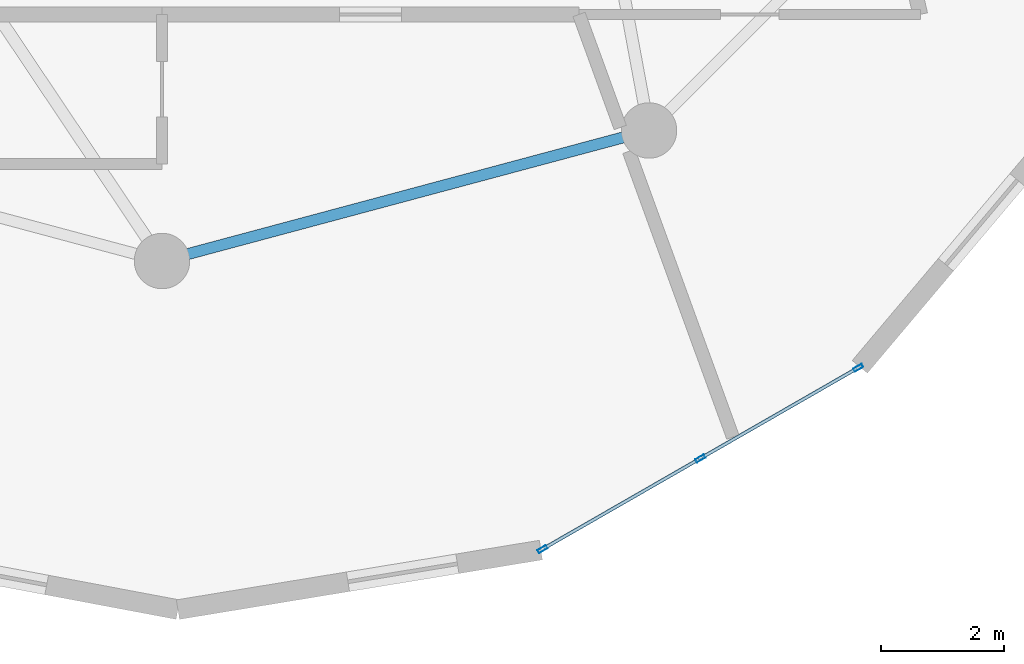
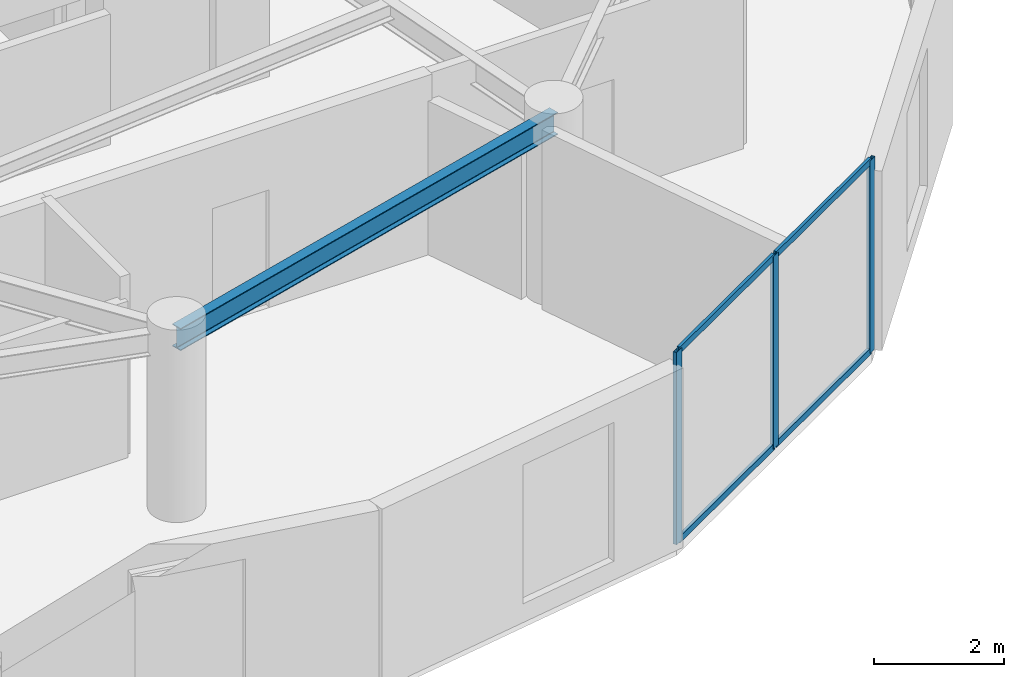
# One storey, part 5 of 21: 7 members, 1 beam, 1 element without a shape of its own.
"""IFC4 building model written with IfcOpenShell, lengths in metres."""

from ifc_helpers import new_model, si_unit, direction, frame, origin, origin_2d, place, context, subcontext, project, spatial, hollow_rectangle, i_section, extrude, source, transform, mapped, material, layer, layer_set, material_profile, profile_set, type_object, element, aggregate, save


model = new_model("IFC4")

# Units and contexts
model_context = context("Model", 3, precision=1e-05, world=origin(), true_north=direction((0.0, 1.0)))
body_context = subcontext(model_context, "Body", "Model", "MODEL_VIEW")
ifc_project = project(units=[si_unit("LENGTHUNIT", "METRE"), si_unit("AREAUNIT", "SQUARE_METRE"), si_unit("VOLUMEUNIT", "CUBIC_METRE"), si_unit("PLANEANGLEUNIT", "RADIAN"), si_unit("MASSUNIT", "GRAM", prefix="KILO")], contexts=[model_context])

# Site, building, storey
site_placement = place(None, origin())
site = spatial("IfcSite", under=ifc_project, at=site_placement, CompositionType="ELEMENT")
building_placement = place(site_placement, origin())
building = spatial("IfcBuilding", under=site, at=building_placement, Name="Solvirekh Grand Hotel", CompositionType="ELEMENT")
storey_placement = place(building_placement, frame((0.0, 0.0, 220.0)))
storey = spatial("IfcBuildingStorey", under=building, at=storey_placement, Name="L57", CompositionType="ELEMENT", Elevation=220.0)

# Beam
ifc_material_1 = material(Name="Steel S355", Category="steel")
ifc_material_profile_1 = material_profile(ifc_material_1, i_section(OverallWidth=0.180908203125, OverallDepth=0.4169921875, WebThickness=0.010009765625, FlangeThickness=0.01611328125, FilletRadius=0.011962890625, at=origin_2d()), Name="W410X85")
ifc_profile_set_1 = profile_set([ifc_material_profile_1], Name="Steel S355")
beam_type = type_object("IfcBeamType", Name="Spandrel_Ring_W410", PredefinedType="SPANDREL", material=ifc_profile_set_1)
beam_placement = place(storey_placement, frame((0.0, -15.800048828125, 3.152099609375), z_axis=(0.965920601923, 0.258838541915, 0.0), x_axis=(-0.258838541915, 0.965920601923, 0.0)))
element("IfcBeam", 1, at=beam_placement, inside=storey, type_object=beam_type, Name="L57 perimeter spandrel beam 10", PredefinedType="SPANDREL", context=body_context, shape_type="SweptSolid", body=[
    extrude(i_section(OverallWidth=0.180908203125, OverallDepth=0.4169921875, WebThickness=0.010009765625, FlangeThickness=0.01611328125, FilletRadius=0.011962890625, at=origin_2d()), origin(), (0.0, 0.0, 1.0), 8.1787109375),
])

# Curtain wall, members
ifc_material_2 = material(Name="Anodized Bronze Aluminium 6063-T6", Category="aluminium")
ifc_layer = layer(ifc_material_2, 0.159912109375)
ifc_layer_set = layer_set([ifc_layer], Name="Anodized Bronze Aluminium 6063-T6")
curtain_wall_type = type_object("IfcCurtainWallType", Name="CW_Sys4_HighZoneFlushBronzeCW", PredefinedType="NOTDEFINED", material=ifc_layer_set)
curtain_wall_placement = place(storey_placement, origin())
curtain_wall = element("IfcCurtainWall", 2, at=curtain_wall_placement, inside=storey, type_object=curtain_wall_type, Name="L57 unitised bronze-glass curtain wall CW-L57-C01", PredefinedType="NOTDEFINED")
ifc_material_profile_2 = material_profile(ifc_material_2, hollow_rectangle(XDim=0.06005859375, YDim=0.159912109375, WallThickness=0.0048828125, at=origin_2d()), Name="ALU RHS 160X60X5")
ifc_profile_set_2 = profile_set([ifc_material_profile_2], Name="Anodized Bronze Aluminium 6063-T6")
member_type_1 = type_object("IfcMemberType", Name="CWMullion_Sys4", PredefinedType="MULLION", material=ifc_profile_set_2)
shared_shape_1 = source(origin(), body_context, "Body", "SweptSolid", [
    extrude(hollow_rectangle(XDim=0.06005859375, YDim=0.159912109375, WallThickness=0.0048828125, at=origin_2d()), origin(), (0.0, 0.0, 1.0), 3.60009765625),
])
member_1_placement = place(storey_placement, frame((6.172119140625, -20.47509765625, 0.0), z_axis=(0.0, 0.0, 1.0), x_axis=(-0.498212924727, 0.867054716632, 0.0)))
member_1 = element("IfcMember", 3, at=member_1_placement, type_object=member_type_1, Name="U04 mullion 1", PredefinedType="MULLION", context=body_context, shape_type="MappedRepresentation", body=[
    mapped(shared_shape_1, transform((0.0, 0.0, 0.0), x_axis=(1.0, 0.0, 0.0), y_axis=(0.0, 1.0, 0.0), z_axis=(0.0, 0.0, 1.0), scale=1.0)),
])
member_2_placement = place(storey_placement, frame((8.73291015625, -19.00341796875, 0.0), z_axis=(0.0, 0.0, 1.0), x_axis=(-0.498212924727, 0.867054716632, 0.0)))
member_2 = element("IfcMember", 4, at=member_2_placement, type_object=member_type_1, Name="U04 mullion 2", PredefinedType="MULLION", context=body_context, shape_type="MappedRepresentation", body=[
    mapped(shared_shape_1, transform((0.0, 0.0, 0.0), x_axis=(1.0, 0.0, 0.0), y_axis=(0.0, 1.0, 0.0), z_axis=(0.0, 0.0, 1.0), scale=1.0)),
])
member_3_placement = place(storey_placement, frame((11.2939453125, -17.531982421875, 0.0), z_axis=(0.0, 0.0, 1.0), x_axis=(-0.498212924727, 0.867054716632, 0.0)))
member_3 = element("IfcMember", 5, at=member_3_placement, type_object=member_type_1, Name="U04 mullion 3", PredefinedType="MULLION", context=body_context, shape_type="MappedRepresentation", body=[
    mapped(shared_shape_1, transform((0.0, 0.0, 0.0), x_axis=(1.0, 0.0, 0.0), y_axis=(0.0, 1.0, 0.0), z_axis=(0.0, 0.0, 1.0), scale=1.0)),
])
ifc_material_profile_3 = material_profile(ifc_material_2, hollow_rectangle(XDim=0.054931640625, YDim=0.1201171875, WallThickness=0.00390625, at=origin_2d()), Name="ALU RHS 120X55X4")
ifc_profile_set_3 = profile_set([ifc_material_profile_3], Name="Anodized Bronze Aluminium 6063-T6")
member_type_2 = type_object("IfcMemberType", Name="CWTransom_Sys4", PredefinedType="USERDEFINED", material=ifc_profile_set_3)
shared_shape_2 = source(origin(), body_context, "Body", "SweptSolid", [
    extrude(hollow_rectangle(XDim=0.054931640625, YDim=0.1201171875, WallThickness=0.00390625, at=origin_2d()), origin(), (0.0, 0.0, 1.0), 2.893798828125),
])
member_4_placement = place(storey_placement, frame((6.197998046875, -20.460205078125, 0.027587890625), z_axis=(0.867062119773, 0.498200040601, 0.0), x_axis=(-0.498200040601, 0.867062119773, 0.0)))
member_4 = element("IfcMember", 6, at=member_4_placement, type_object=member_type_2, Name="U04 transom 1.1", ObjectType="TRANSOM", PredefinedType="USERDEFINED", context=body_context, shape_type="MappedRepresentation", body=[
    mapped(shared_shape_2, transform((0.0, 0.0, 0.0), x_axis=(1.0, 0.0, 0.0), y_axis=(0.0, 1.0, 0.0), z_axis=(0.0, 0.0, 1.0), scale=1.0)),
])
member_5_placement = place(storey_placement, frame((6.197998046875, -20.460205078125, 3.572509765625), z_axis=(0.867062119773, 0.498200040601, 0.0), x_axis=(-0.498200040601, 0.867062119773, 0.0)))
member_5 = element("IfcMember", 7, at=member_5_placement, type_object=member_type_2, Name="U04 transom 1.2", ObjectType="TRANSOM", PredefinedType="USERDEFINED", context=body_context, shape_type="MappedRepresentation", body=[
    mapped(shared_shape_2, transform((0.0, 0.0, 0.0), x_axis=(1.0, 0.0, 0.0), y_axis=(0.0, 1.0, 0.0), z_axis=(0.0, 0.0, 1.0), scale=1.0)),
])
member_6_placement = place(storey_placement, frame((8.759033203125, -18.988525390625, 0.027587890625), z_axis=(0.867062119773, 0.498200040601, 0.0), x_axis=(-0.498200040601, 0.867062119773, 0.0)))
member_6 = element("IfcMember", 8, at=member_6_placement, type_object=member_type_2, Name="U04 transom 2.1", ObjectType="TRANSOM", PredefinedType="USERDEFINED", context=body_context, shape_type="MappedRepresentation", body=[
    mapped(shared_shape_2, transform((0.0, 0.0, 0.0), x_axis=(1.0, 0.0, 0.0), y_axis=(0.0, 1.0, 0.0), z_axis=(0.0, 0.0, 1.0), scale=1.0)),
])
member_7_placement = place(storey_placement, frame((8.759033203125, -18.988525390625, 3.572509765625), z_axis=(0.867062119773, 0.498200040601, 0.0), x_axis=(-0.498200040601, 0.867062119773, 0.0)))
member_7 = element("IfcMember", 9, at=member_7_placement, type_object=member_type_2, Name="U04 transom 2.2", ObjectType="TRANSOM", PredefinedType="USERDEFINED", context=body_context, shape_type="MappedRepresentation", body=[
    mapped(shared_shape_2, transform((0.0, 0.0, 0.0), x_axis=(1.0, 0.0, 0.0), y_axis=(0.0, 1.0, 0.0), z_axis=(0.0, 0.0, 1.0), scale=1.0)),
])
aggregate(curtain_wall, [member_1, member_2, member_3, member_4, member_5, member_6, member_7])

save(model, "model.ifc")
